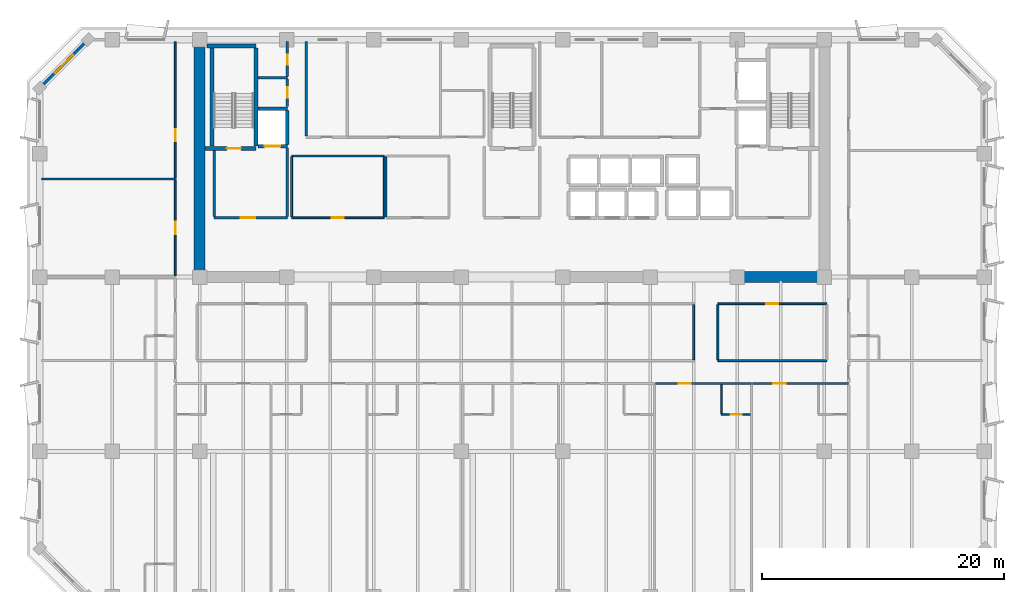
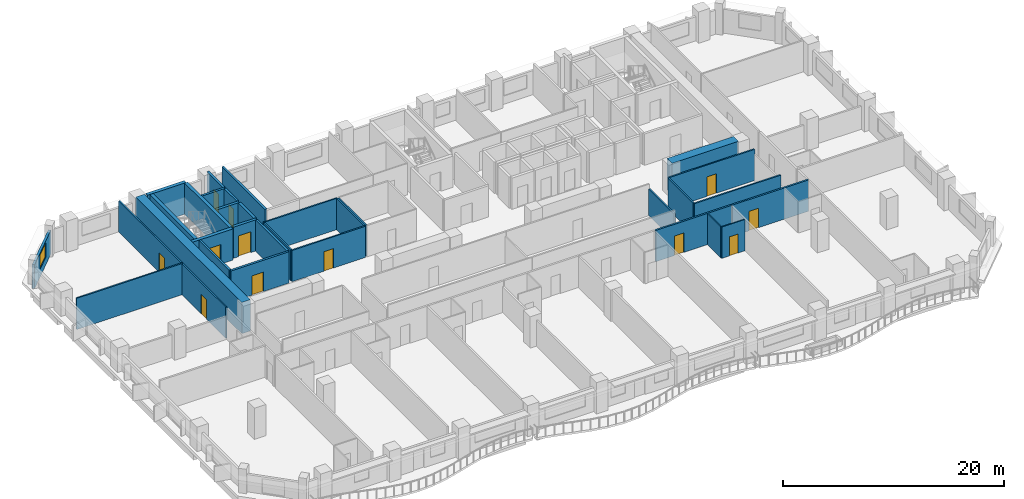
# One storey, part 6 of 15: 33 walls, 12 doors, 1 window, 13 openings.
"""IFC4 building model written with IfcOpenShell, lengths in metres."""

import ifcopenshell
import ifcopenshell.guid

model = None  # the IFC model being written
_history = None  # IfcOwnerHistory: only IFC2X3 demands one
_inside = {}  # id of a spatial element -> (the spatial element, [elements in it])
_under = {}  # id of a project, library or spatial element -> (it, [spatial elements below it])
_declared = {}  # id of a project -> (the project, [libraries it declares])
_typed = {}  # id of a type object -> (the type object, [elements of that type])
_made_of = {}  # id of a material, layer set ... -> (it, [elements and type objects made of it])


def new_model(schema):
    """Start an empty IFC model of exactly this schema.

    Asked for "IFC4X3", IfcOpenShell would pick the latest addendum, in which some entities
    have other attributes; the version numbers below select the first issue.
    IFC2X3 requires an IfcOwnerHistory on every rooted entity: one is made here for all.
    """
    global model, _history
    if schema == "IFC4X3":
        model = ifcopenshell.file(schema_version=(4, 3, 0, 0))
    else:
        model = ifcopenshell.file(schema=schema)
    _inside.clear()
    _under.clear()
    _declared.clear()
    _typed.clear()
    _made_of.clear()
    _history = None
    if model.schema == "IFC2X3":
        org = make("IfcOrganization", Name="unknown")
        user = make(
            "IfcPersonAndOrganization",
            ThePerson=make("IfcPerson", FamilyName="unknown"),
            TheOrganization=org,
        )
        app = make(
            "IfcApplication",
            ApplicationDeveloper=org,
            Version="unknown",
            ApplicationFullName="unknown",
            ApplicationIdentifier="unknown",
        )
        _history = make(
            "IfcOwnerHistory",
            OwningUser=user,
            OwningApplication=app,
            ChangeAction="ADDED",
            CreationDate=0,
        )
    return model


def make(cls, **values):
    """One entity of the class cls with the attributes given. An attribute that is None is left unset."""
    return model.create_entity(
        cls, **{name: value for name, value in values.items() if value is not None}
    )


def rooted(cls, **values):
    """An entity with a GlobalId (a new one), such as an element, a storey or a relation."""
    return make(cls, GlobalId=ifcopenshell.guid.new(), OwnerHistory=_history, **values)


def si_unit(unit_type, name, prefix=None):
    """IfcSIUnit, for example si_unit("LENGTHUNIT", "METRE", prefix="MILLI")."""
    return make("IfcSIUnit", UnitType=unit_type, Prefix=prefix, Name=name)


def assignment(units):
    """IfcUnitAssignment: the units of a project."""
    return None if units is None else make("IfcUnitAssignment", Units=units)


def point(xyz):
    """IfcCartesianPoint."""
    return None if xyz is None else make("IfcCartesianPoint", Coordinates=xyz)


def direction(xyz):
    """IfcDirection."""
    return None if xyz is None else make("IfcDirection", DirectionRatios=xyz)


def frame(location, z_axis=None, x_axis=None):
    """IfcAxis2Placement3D, a coordinate frame: its origin and axes. An axis left out is left unset."""
    return make(
        "IfcAxis2Placement3D",
        Location=point(location),
        Axis=direction(z_axis),
        RefDirection=direction(x_axis),
    )


def frame_2d(location, x_axis=None):
    """IfcAxis2Placement2D, a coordinate frame in the plane: its origin and x axis."""
    return make(
        "IfcAxis2Placement2D", Location=point(location), RefDirection=direction(x_axis)
    )


def origin():
    """The frame at (0, 0, 0) with its axes left unset."""
    return frame((0.0, 0.0, 0.0))


def place(relative_to, where):
    """IfcLocalPlacement: puts the frame where relative to a parent placement (None: the world)."""
    return make(
        "IfcLocalPlacement", PlacementRelTo=relative_to, RelativePlacement=where
    )


def context(
    kind, dimensions, precision=None, world=None, true_north=None, identifier=None
):
    """IfcGeometricRepresentationContext, for example the 3D "Model" context."""
    return make(
        "IfcGeometricRepresentationContext",
        ContextIdentifier=identifier,
        ContextType=kind,
        CoordinateSpaceDimension=dimensions,
        Precision=precision,
        WorldCoordinateSystem=world,
        TrueNorth=true_north,
    )


def subcontext(parent, identifier, kind, view, scale=None):
    """IfcGeometricRepresentationSubContext, for example "Body" below "Model"."""
    return make(
        "IfcGeometricRepresentationSubContext",
        ContextIdentifier=identifier,
        ContextType=kind,
        ParentContext=parent,
        TargetScale=scale,
        TargetView=view,
    )


def project(units=None, contexts=None):
    """IfcProject with its units and contexts."""
    return rooted(
        "IfcProject",
        Name="project",
        RepresentationContexts=contexts,
        UnitsInContext=assignment(units),
    )


def spatial(cls, under=None, at=None, **own):
    """A site, building, storey or space (cls), placed at a placement, below another one or the project."""
    s = rooted(cls, ObjectPlacement=at, **own)
    if under is not None:
        _under.setdefault(under.id(), (under, []))[1].append(s)
    return s


def profile(cls, at=None, kind="AREA", **sizes):
    """A parametric profile (cls). Its sizes go by their IFC names, for example OverallWidth=200.0."""
    return make(cls, ProfileType=kind, Position=at, **sizes)


def rectangle(**sizes):
    """IfcRectangleProfileDef."""
    return profile("IfcRectangleProfileDef", **sizes)


def extrude(swept, where, along, depth):
    """IfcExtrudedAreaSolid: the profile swept, set in the frame where, extruded along a direction by depth."""
    return make(
        "IfcExtrudedAreaSolid",
        SweptArea=swept,
        Position=where,
        ExtrudedDirection=direction(along),
        Depth=depth,
    )


def shape(context_of_items, identifier, shape_type, items):
    """IfcShapeRepresentation: the items that make up one representation, for example the "Body"."""
    return make(
        "IfcShapeRepresentation",
        ContextOfItems=context_of_items,
        RepresentationIdentifier=identifier,
        RepresentationType=shape_type,
        Items=items,
    )


def material(Name=None, Category=None):
    """IfcMaterial."""
    return make("IfcMaterial", Name=Name, Category=Category)


def layer(
    of_material, thickness, ventilated=None, Name=None, Category=None, Priority=None
):
    """IfcMaterialLayer: one layer of a wall or slab, of a material (None: an air gap)."""
    return make(
        "IfcMaterialLayer",
        Material=of_material,
        LayerThickness=thickness,
        IsVentilated=ventilated,
        Name=Name,
        Category=Category,
        Priority=Priority,
    )


def layer_set(layers, Name=None):
    """IfcMaterialLayerSet."""
    return make("IfcMaterialLayerSet", MaterialLayers=layers, LayerSetName=Name)


def made_of(thing, what):
    """Note that an element or type object is made of a material, layer set ...; save() writes the relation."""
    if what is not None:
        _made_of.setdefault(what.id(), (what, []))[1].append(thing)
    return thing


def type_object(cls, material=None, **own):
    """A type object (cls), such as IfcWallType, which elements share."""
    return made_of(rooted(cls, **own), material)


def element(
    cls,
    number,
    at=None,
    inside=None,
    cuts=None,
    type_object=None,
    material=None,
    context=None,
    identifier="Body",
    shape_type=None,
    held_by="IfcProductDefinitionShape",
    body=None,
    shapes=None,
    **own,
):
    """One element of the class cls, such as IfcWall. Its Tag is "e" and its number.

    at: its placement. inside: the storey or other place that contains it. cuts: it is an
    opening in that element (IfcRelVoidsElement). A single representation is given by context,
    identifier, shape_type and body (its items); several are given by shapes. held_by: the class
    of the entity that holds the representations. save() writes the other relations.
    """
    e = rooted(cls, Tag="e%d" % number, ObjectPlacement=at, **own)
    if body is not None:
        shapes = [shape(context, identifier, shape_type, body)]
    if shapes is not None:
        e.Representation = make(held_by, Representations=shapes)
    if inside is not None:
        _inside.setdefault(inside.id(), (inside, []))[1].append(e)
    if cuts is not None:
        rooted(
            "IfcRelVoidsElement", RelatingBuildingElement=cuts, RelatedOpeningElement=e
        )
    if type_object is not None:
        _typed.setdefault(type_object.id(), (type_object, []))[1].append(e)
    return made_of(e, material)


def fill(opening, filler):
    """IfcRelFillsElement: the door or window that sits in an opening."""
    return rooted(
        "IfcRelFillsElement",
        RelatingOpeningElement=opening,
        RelatedBuildingElement=filler,
    )


def aggregate(whole, parts):
    """IfcRelAggregates: a whole, such as a stair, and the parts it consists of."""
    return rooted("IfcRelAggregates", RelatingObject=whole, RelatedObjects=parts)


def save(model, path):
    """Write the relations noted so far, then the file.

    IfcRelAggregates (storeys below a building ...), IfcRelContainedInSpatialStructure (elements
    in a storey), IfcRelDefinesByType, IfcRelAssociatesMaterial and IfcRelDeclares: one each for
    every whole, place, type object, material and project.
    """
    for whole, parts in _under.values():
        aggregate(whole, parts)
    for where, things in _inside.values():
        rooted(
            "IfcRelContainedInSpatialStructure",
            RelatedElements=things,
            RelatingStructure=where,
        )
    for kind, things in _typed.values():
        rooted("IfcRelDefinesByType", RelatedObjects=things, RelatingType=kind)
    for what, things in _made_of.values():
        rooted("IfcRelAssociatesMaterial", RelatedObjects=things, RelatingMaterial=what)
    for by, libraries in _declared.values():
        rooted("IfcRelDeclares", RelatingContext=by, RelatedDefinitions=libraries)
    model.write(path)


model = new_model("IFC4")

# Units and contexts
model_context = context("Model", 3, precision=1e-05, world=origin(), true_north=direction((0.0, 1.0)))
body_context = subcontext(model_context, "Body", "Model", "MODEL_VIEW")
ifc_project = project(units=[si_unit("LENGTHUNIT", "METRE"), si_unit("AREAUNIT", "SQUARE_METRE"), si_unit("VOLUMEUNIT", "CUBIC_METRE"), si_unit("PLANEANGLEUNIT", "RADIAN"), si_unit("MASSUNIT", "GRAM", prefix="KILO")], contexts=[model_context])

# Site, building, storey
site_placement = place(None, origin())
site = spatial("IfcSite", under=ifc_project, at=site_placement, CompositionType="ELEMENT")
building_placement = place(site_placement, origin())
building = spatial("IfcBuilding", under=site, at=building_placement, Name="Kaelvorn Grand Hotel", CompositionType="ELEMENT")
storey_placement = place(building_placement, frame((0.0, 0.0, 180.949951171875)))
storey = spatial("IfcBuildingStorey", under=building, at=storey_placement, Name="L44", CompositionType="ELEMENT", Elevation=180.949951171875)

# Walls
ifc_material_1 = material(Name="Concrete C60/75", Category="concrete")
ifc_layer_1 = layer(ifc_material_1, 0.89990234375)
ifc_layer_set_1 = layer_set([ifc_layer_1], Name="Concrete C60/75")
wall_type_1 = type_object("IfcWallType", Name="WL-CORE-900-C60", PredefinedType="SHEAR", material=ifc_layer_set_1)
wall_1_placement = place(storey_placement, frame((16.199951171875, 29.39990234375, 0.0), z_axis=(0.0, 0.0, 1.0), x_axis=(0.0, 1.0, 0.0)))
element("IfcWall", 1, at=wall_1_placement, inside=storey, type_object=wall_type_1, Name="L44 Rear-Core West Shear Wall", PredefinedType="SHEAR", context=body_context, shape_type="SweptSolid", body=[
    extrude(rectangle(XDim=19.2001953125, YDim=0.89990234375, at=frame_2d((9.60009765625, 0.0))), origin(), (0.0, 0.0, 1.0), 3.449951171875),
])
wall_2_placement = place(storey_placement, frame((60.39990234375, 29.39990234375, 0.0), z_axis=(0.0, 0.0, 1.0), x_axis=(1.0, 0.0, 0.0)))
element("IfcWall", 2, at=wall_2_placement, inside=storey, type_object=wall_type_1, Name="L44 Rear-Core Coupled Shear Pier S4", PredefinedType="SHEAR", context=body_context, shape_type="SweptSolid", body=[
    extrude(rectangle(XDim=6.945068359375, YDim=0.89990234375, at=frame_2d((3.47265625, 0.0))), origin(), (0.0, 0.0, 1.0), 3.449951171875),
])

# Wall, opening, window
ifc_material_2 = material(Name="Concrete C40/50", Category="concrete")
ifc_layer_2 = layer(ifc_material_2, 0.239990234375)
ifc_layer_set_2 = layer_set([ifc_layer_2], Name="Concrete C40/50")
wall_type_2 = type_object("IfcWallType", Name="WL-EXT-240-C40", PredefinedType="SOLIDWALL", material=ifc_layer_set_2)
wall_3_placement = place(storey_placement, frame((7.0, 49.0, 0.0), z_axis=(0.0, 0.0, 1.0), x_axis=(-0.707106781187, -0.707106781187, 0.0)))
wall_3 = element("IfcWall", 3, at=wall_3_placement, inside=storey, type_object=wall_type_2, Name="L44 Exterior Architectural Concrete Wall 06", PredefinedType="SOLIDWALL", context=body_context, shape_type="SweptSolid", body=[
    extrude(rectangle(XDim=5.65673828125, YDim=0.239990234375, at=frame_2d((2.828369140625, 0.0))), origin(), (0.0, 0.0, 1.0), 2.650146484375),
])
opening_1_placement = place(wall_3_placement, frame((1.7783203125, 0.0, 0.85009765625)))
opening_1 = element("IfcOpeningElement", 4, at=opening_1_placement, cuts=wall_3, Name="Opening W7", PredefinedType="OPENING", context=body_context, shape_type="SweptSolid", body=[
    extrude(rectangle(XDim=2.10009765625, YDim=1.60009765625, at=frame_2d((1.050048828125, 0.800048828125))), frame((0.0, 0.1298828125, 0.0), z_axis=(0.0, -1.0, 0.0), x_axis=(1.0, 0.0, 0.0)), (0.0, 0.0, 1.0), 0.260009765625),
])
ifc_material_3 = material(Name="Laminated Low-E Glass", Category="glass")
window_type = type_object("IfcWindowType", Name="WIN-CHM-2100x1600", PartitioningType="SINGLE_PANEL", PredefinedType="WINDOW", material=ifc_material_3)
window_placement = place(opening_1_placement, origin())
window = element("IfcWindow", 5, at=window_placement, inside=storey, type_object=window_type, Name="L44 Chamfered 45-Degree Corner Window NW", OverallHeight=1.60009765625, OverallWidth=2.10009765625, PartitioningType="SINGLE_PANEL", PredefinedType="WINDOW", context=body_context, shape_type="SweptSolid", body=[
    extrude(rectangle(XDim=2.10009765625, YDim=1.60009765625, at=frame_2d((1.050048828125, 0.800048828125))), frame((0.0, 0.030029296875, 0.0), z_axis=(0.0, -1.0, 0.0), x_axis=(1.0, 0.0, 0.0)), (0.0, 0.0, 1.0), 0.06005859375),
])
fill(opening_1, window)

# Wall, opening, door
ifc_material_4 = material(Name="Moisture-Resistant Tile & Stud Board")
ifc_layer_3 = layer(ifc_material_4, 0.125)
ifc_layer_set_3 = layer_set([ifc_layer_3], Name="Moisture-Resistant Tile & Stud Board")
wall_type_3 = type_object("IfcWallType", Name="WL-PART-125-WET", PredefinedType="PARTITIONING", material=ifc_layer_set_3)
wall_4_placement = place(storey_placement, frame((59.28076171875, 18.050048828125, 0.0), z_axis=(0.0, 0.0, 1.0), x_axis=(1.0, 0.0, 0.0)))
wall_4 = element("IfcWall", 6, at=wall_4_placement, inside=storey, type_object=wall_type_3, Name="L44 En-suite Bathroom L44-06 S Partition", PredefinedType="PARTITIONING", context=body_context, shape_type="SweptSolid", body=[
    extrude(rectangle(XDim=2.405029296875, YDim=0.125, at=frame_2d((1.20263671875, 0.0))), origin(), (0.0, 0.0, 1.0), 3.449951171875),
])
opening_2_placement = place(wall_4_placement, frame((0.800048828125, 0.0, 0.0)))
opening_2 = element("IfcOpeningElement", 7, at=opening_2_placement, cuts=wall_4, Name="Opening DI4", PredefinedType="OPENING", context=body_context, shape_type="SweptSolid", body=[
    extrude(rectangle(XDim=0.89990234375, YDim=2.10009765625, at=frame_2d((0.449951171875, 1.050048828125))), frame((0.0, 0.072509765625, 0.0), z_axis=(0.0, -1.0, 0.0), x_axis=(1.0, 0.0, 0.0)), (0.0, 0.0, 1.0), 0.14501953125),
])
ifc_material_5 = material(Name="Timber Veneer Leaf", Category="wood")
door_type_1 = type_object("IfcDoorType", Name="DR-INT-BATH-900x2100", OperationType="NOTDEFINED", PredefinedType="DOOR", material=ifc_material_5)
door_1_placement = place(opening_2_placement, origin())
door_1 = element("IfcDoor", 8, at=door_1_placement, inside=storey, type_object=door_type_1, Name="L44 En-suite Bathroom L44-06 Door", OperationType="SINGLE_SWING_RIGHT", OverallHeight=2.10009765625, OverallWidth=0.89990234375, PredefinedType="DOOR", context=body_context, shape_type="SweptSolid", body=[
    extrude(rectangle(XDim=0.89990234375, YDim=2.10009765625, at=frame_2d((0.449951171875, 1.050048828125))), frame((0.0, 0.02490234375, 0.0), z_axis=(0.0, -1.0, 0.0), x_axis=(1.0, 0.0, 0.0)), (0.0, 0.0, 1.0), 0.050048828125),
])
fill(opening_2, door_1)

# Walls
wall_5_placement = place(storey_placement, frame((59.28076171875, 18.117431640625, 0.0), z_axis=(0.0, 0.0, 1.0), x_axis=(0.0, 1.0, 0.0)))
element("IfcWall", 9, at=wall_5_placement, inside=storey, type_object=wall_type_3, Name="L44 En-suite Bathroom L44-06 W Partition", PredefinedType="PARTITIONING", context=body_context, shape_type="SweptSolid", body=[
    extrude(rectangle(XDim=2.387451171875, YDim=0.125, at=frame_2d((1.19384765625, 0.0))), origin(), (0.0, 0.0, 1.0), 3.449951171875),
])
ifc_material_6 = material(Name="Acoustic Gypsum & Stud Partition")
ifc_layer_4 = layer(ifc_material_6, 0.14990234375)
ifc_layer_set_4 = layer_set([ifc_layer_4], Name="Acoustic Gypsum & Stud Partition")
wall_type_4 = type_object("IfcWallType", Name="WL-PART-150-EI60", PredefinedType="PARTITIONING", material=ifc_layer_set_4)
wall_6_placement = place(storey_placement, frame((31.60009765625, 34.3798828125, 0.0), z_axis=(0.0, 0.0, 1.0), x_axis=(0.0, 1.0, 0.0)))
element("IfcWall", 10, at=wall_6_placement, inside=storey, type_object=wall_type_4, Name="L44 Core Telecoms & BMS Server Room W Partition", PredefinedType="PARTITIONING", context=body_context, shape_type="SweptSolid", body=[
    extrude(rectangle(XDim=4.940185546875, YDim=0.14990234375, at=frame_2d((2.47021484375, 0.0))), origin(), (0.0, 0.0, 1.0), 3.449951171875),
])

# Wall, opening, door
wall_7_placement = place(storey_placement, frame((23.800048828125, 34.300048828125, 0.0), z_axis=(0.0, 0.0, 1.0), x_axis=(1.0, 0.0, 0.0)))
wall_7 = element("IfcWall", 11, at=wall_7_placement, inside=storey, type_object=wall_type_4, Name="L44 Executive Club Sitting Lounge S Partition", PredefinedType="PARTITIONING", context=body_context, shape_type="SweptSolid", body=[
    extrude(rectangle(XDim=7.64990234375, YDim=0.14990234375, at=frame_2d((3.824951171875, 0.0))), origin(), (0.0, 0.0, 1.0), 3.449951171875),
])
opening_3_placement = place(wall_7_placement, frame((3.300048828125, 0.0, 0.0)))
opening_3 = element("IfcOpeningElement", 12, at=opening_3_placement, cuts=wall_7, Name="Opening DI3", PredefinedType="OPENING", context=body_context, shape_type="SweptSolid", body=[
    extrude(rectangle(XDim=1.0, YDim=2.14990234375, at=frame_2d((0.5, 1.074951171875))), frame((0.0, 0.0849609375, 0.0), z_axis=(0.0, -1.0, 0.0), x_axis=(1.0, 0.0, 0.0)), (0.0, 0.0, 1.0), 0.169921875),
])
ifc_material_7 = material(Name="Timber Veneer Fire Leaf", Category="wood")
door_type_2 = type_object("IfcDoorType", Name="DR-INT-GUEST-1000x2150", OperationType="NOTDEFINED", PredefinedType="DOOR", material=ifc_material_7)
door_2_placement = place(opening_3_placement, origin())
door_2 = element("IfcDoor", 13, at=door_2_placement, inside=storey, type_object=door_type_2, Name="L44 Executive Club Sitting Lounge Door", OperationType="SINGLE_SWING_LEFT", OverallHeight=2.14990234375, OverallWidth=1.0, PredefinedType="DOOR", context=body_context, shape_type="SweptSolid", body=[
    extrude(rectangle(XDim=1.0, YDim=2.14990234375, at=frame_2d((0.5, 1.074951171875))), frame((0.0, 0.02490234375, 0.0), z_axis=(0.0, -1.0, 0.0), x_axis=(1.0, 0.0, 0.0)), (0.0, 0.0, 1.0), 0.050048828125),
])
fill(opening_3, door_2)

# Walls
wall_8_placement = place(storey_placement, frame((23.800048828125, 39.39990234375, 0.0), z_axis=(0.0, 0.0, 1.0), x_axis=(1.0, 0.0, 0.0)))
element("IfcWall", 14, at=wall_8_placement, inside=storey, type_object=wall_type_4, Name="L44 Executive Club Sitting Lounge N Partition", PredefinedType="PARTITIONING", context=body_context, shape_type="SweptSolid", body=[
    extrude(rectangle(XDim=7.64990234375, YDim=0.14990234375, at=frame_2d((3.824951171875, 0.0))), origin(), (0.0, 0.0, 1.0), 3.449951171875),
])
for number, where, z_axis, x_axis, name in (
    (15, (23.800048828125, 34.3798828125, 0.0), (0.0, 0.0, 1.0), (0.0, 1.0, 0.0), "L44 Executive Club Sitting Lounge W Partition"),
    (16, (31.449951171875, 34.3798828125, 0.0), (0.0, 0.0, 1.0), (0.0, 1.0, 0.0), "L44 Executive Club Sitting Lounge E Partition"),
):
    element("IfcWall", number, at=place(storey_placement, frame(where, z_axis=z_axis, x_axis=x_axis)), inside=storey, type_object=wall_type_4, Name=name, PredefinedType="PARTITIONING", context=body_context, shape_type="SweptSolid", body=[
        extrude(rectangle(XDim=4.940185546875, YDim=0.14990234375, at=frame_2d((2.47021484375, 0.0))), origin(), (0.0, 0.0, 1.0), 3.449951171875),
    ])
wall_9_placement = place(storey_placement, frame((57.0, 22.580078125, 0.0), z_axis=(0.0, 0.0, 1.0), x_axis=(0.0, 1.0, 0.0)))
element("IfcWall", 17, at=wall_9_placement, inside=storey, type_object=wall_type_4, Name="L44 Business Meeting Room E Partition", PredefinedType="PARTITIONING", context=body_context, shape_type="SweptSolid", body=[
    extrude(rectangle(XDim=4.5400390625, YDim=0.14990234375, at=frame_2d((2.27001953125, 0.0))), origin(), (0.0, 0.0, 1.0), 2.949951171875),
])
wall_10_placement = place(storey_placement, frame((59.0, 22.5, 0.0), z_axis=(0.0, 0.0, 1.0), x_axis=(1.0, 0.0, 0.0)))
element("IfcWall", 18, at=wall_10_placement, inside=storey, type_object=wall_type_4, Name="L44 Press Briefing Office S Partition", PredefinedType="PARTITIONING", context=body_context, shape_type="SweptSolid", body=[
    extrude(rectangle(XDim=9.0, YDim=0.14990234375, at=frame_2d((4.5, 0.0))), origin(), (0.0, 0.0, 1.0), 3.449951171875),
])

# Wall, opening, door
wall_11_placement = place(storey_placement, frame((59.0, 27.199951171875, 0.0), z_axis=(0.0, 0.0, 1.0), x_axis=(1.0, 0.0, 0.0)))
wall_11 = element("IfcWall", 19, at=wall_11_placement, inside=storey, type_object=wall_type_4, Name="L44 Press Briefing Office N Partition", PredefinedType="PARTITIONING", context=body_context, shape_type="SweptSolid", body=[
    extrude(rectangle(XDim=9.0, YDim=0.14990234375, at=frame_2d((4.5, 0.0))), origin(), (0.0, 0.0, 1.0), 3.449951171875),
])
opening_4_placement = place(wall_11_placement, frame((4.0, 0.0, 0.0)))
opening_4 = element("IfcOpeningElement", 20, at=opening_4_placement, cuts=wall_11, Name="Opening DI3", PredefinedType="OPENING", context=body_context, shape_type="SweptSolid", body=[
    extrude(rectangle(XDim=1.0, YDim=2.14990234375, at=frame_2d((0.5, 1.074951171875))), frame((0.0, 0.0849609375, 0.0), z_axis=(0.0, -1.0, 0.0), x_axis=(1.0, 0.0, 0.0)), (0.0, 0.0, 1.0), 0.169921875),
])
door_3_placement = place(opening_4_placement, origin())
door_3 = element("IfcDoor", 21, at=door_3_placement, inside=storey, type_object=door_type_2, Name="L44 Press Briefing Office Door", OperationType="SINGLE_SWING_RIGHT", OverallHeight=2.14990234375, OverallWidth=1.0, PredefinedType="DOOR", context=body_context, shape_type="SweptSolid", body=[
    extrude(rectangle(XDim=1.0, YDim=2.14990234375, at=frame_2d((0.5, 1.074951171875))), frame((0.0, 0.02490234375, 0.0), z_axis=(0.0, -1.0, 0.0), x_axis=(1.0, 0.0, 0.0)), (0.0, 0.0, 1.0), 0.050048828125),
])
fill(opening_4, door_3)

# Walls
wall_12_placement = place(storey_placement, frame((59.0, 22.580078125, 0.0), z_axis=(0.0, 0.0, 1.0), x_axis=(0.0, 1.0, 0.0)))
element("IfcWall", 22, at=wall_12_placement, inside=storey, type_object=wall_type_4, Name="L44 Press Briefing Office W Partition", PredefinedType="PARTITIONING", context=body_context, shape_type="SweptSolid", body=[
    extrude(rectangle(XDim=4.5400390625, YDim=0.14990234375, at=frame_2d((2.27001953125, 0.0))), origin(), (0.0, 0.0, 1.0), 3.449951171875),
])
wall_13_placement = place(storey_placement, frame((3.14990234375, 37.5, 0.0), z_axis=(0.0, 0.0, 1.0), x_axis=(1.0, 0.0, 0.0)))
element("IfcWall", 23, at=wall_13_placement, inside=storey, type_object=wall_type_4, Name="L44 North-West Private Cinema Lounge N Partition", PredefinedType="PARTITIONING", context=body_context, shape_type="SweptSolid", body=[
    extrude(rectangle(XDim=11.050048828125, YDim=0.14990234375, at=frame_2d((5.52490234375, 0.0))), origin(), (0.0, 0.0, 1.0), 3.449951171875),
])

# Wall, opening, door
wall_14_placement = place(storey_placement, frame((14.199951171875, 29.4951171875, 0.0), z_axis=(0.0, 0.0, 1.0), x_axis=(0.0, 1.0, 0.0)))
wall_14 = element("IfcWall", 24, at=wall_14_placement, inside=storey, type_object=wall_type_4, Name="L44 North-West Private Cinema Lounge E Partition", PredefinedType="PARTITIONING", context=body_context, shape_type="SweptSolid", body=[
    extrude(rectangle(XDim=7.9248046875, YDim=0.14990234375, at=frame_2d((3.96240234375, 0.0))), origin(), (0.0, 0.0, 1.0), 3.449951171875),
])
opening_5_placement = place(wall_14_placement, frame((3.455078125, 0.0, 0.0)))
opening_5 = element("IfcOpeningElement", 25, at=opening_5_placement, cuts=wall_14, Name="Opening DI3", PredefinedType="OPENING", context=body_context, shape_type="SweptSolid", body=[
    extrude(rectangle(XDim=1.0, YDim=2.14990234375, at=frame_2d((0.5, 1.074951171875))), frame((0.0, 0.0849609375, 0.0), z_axis=(0.0, -1.0, 0.0), x_axis=(1.0, 0.0, 0.0)), (0.0, 0.0, 1.0), 0.169921875),
])
door_4_placement = place(opening_5_placement, origin())
door_4 = element("IfcDoor", 26, at=door_4_placement, inside=storey, type_object=door_type_2, Name="L44 North-West Private Cinema Lounge Door", OperationType="SINGLE_SWING_LEFT", OverallHeight=2.14990234375, OverallWidth=1.0, PredefinedType="DOOR", context=body_context, shape_type="SweptSolid", body=[
    extrude(rectangle(XDim=1.0, YDim=2.14990234375, at=frame_2d((0.5, 1.074951171875))), frame((0.0, 0.02490234375, 0.0), z_axis=(0.0, -1.0, 0.0), x_axis=(1.0, 0.0, 0.0)), (0.0, 0.0, 1.0), 0.050048828125),
])
fill(opening_5, door_4)

wall_15_placement = place(storey_placement, frame((14.199951171875, 37.580078125, 0.0), z_axis=(0.0, 0.0, 1.0), x_axis=(0.0, 1.0, 0.0)))
wall_15 = element("IfcWall", 27, at=wall_15_placement, inside=storey, type_object=wall_type_4, Name="L44 North-West Sommelier Wine Bar E Partition", PredefinedType="PARTITIONING", context=body_context, shape_type="SweptSolid", body=[
    extrude(rectangle(XDim=11.27001953125, YDim=0.14990234375, at=frame_2d((5.635009765625, 0.0))), origin(), (0.0, 0.0, 1.0), 3.449951171875),
])
opening_6_placement = place(wall_15_placement, frame((3.02001953125, 0.0, 0.0)))
opening_6 = element("IfcOpeningElement", 28, at=opening_6_placement, cuts=wall_15, Name="Opening DI3", PredefinedType="OPENING", context=body_context, shape_type="SweptSolid", body=[
    extrude(rectangle(XDim=1.0, YDim=2.14990234375, at=frame_2d((0.5, 1.074951171875))), frame((0.0, 0.0849609375, 0.0), z_axis=(0.0, -1.0, 0.0), x_axis=(1.0, 0.0, 0.0)), (0.0, 0.0, 1.0), 0.169921875),
])
door_5_placement = place(opening_6_placement, origin())
door_5 = element("IfcDoor", 29, at=door_5_placement, inside=storey, type_object=door_type_2, Name="L44 North-West Sommelier Wine Bar Door", OperationType="SINGLE_SWING_RIGHT", OverallHeight=2.14990234375, OverallWidth=1.0, PredefinedType="DOOR", context=body_context, shape_type="SweptSolid", body=[
    extrude(rectangle(XDim=1.0, YDim=2.14990234375, at=frame_2d((0.5, 1.074951171875))), frame((0.0, 0.02490234375, 0.0), z_axis=(0.0, -1.0, 0.0), x_axis=(1.0, 0.0, 0.0)), (0.0, 0.0, 1.0), 0.050048828125),
])
fill(opening_6, door_5)

ifc_layer_5 = layer(ifc_material_6, 0.179931640625)
ifc_layer_set_5 = layer_set([ifc_layer_5], Name="Acoustic Gypsum & Stud Partition")
wall_type_5 = type_object("IfcWallType", Name="WL-PART-180-EI60", PredefinedType="PARTITIONING", material=ifc_layer_set_5)
wall_16_placement = place(storey_placement, frame((53.8564453125, 20.60009765625, 0.0), z_axis=(0.0, 0.0, 1.0), x_axis=(1.0, 0.0, 0.0)))
wall_16 = element("IfcWall", 30, at=wall_16_placement, inside=storey, type_object=wall_type_5, Name="L44 Mid-Rise Signature Suite L44-06 N Partition", PredefinedType="PARTITIONING", context=body_context, shape_type="SweptSolid", body=[
    extrude(rectangle(XDim=7.92431640625, YDim=0.179931640625, at=frame_2d((3.962158203125, 0.0))), origin(), (0.0, 0.0, 1.0), 3.449951171875),
])
opening_7_placement = place(wall_16_placement, frame((1.923828125, 0.0, 0.0)))
opening_7 = element("IfcOpeningElement", 31, at=opening_7_placement, cuts=wall_16, Name="Opening DI3", PredefinedType="OPENING", context=body_context, shape_type="SweptSolid", body=[
    extrude(rectangle(XDim=1.0, YDim=2.14990234375, at=frame_2d((0.5, 1.074951171875))), frame((0.0, 0.10009765625, 0.0), z_axis=(0.0, -1.0, 0.0), x_axis=(1.0, 0.0, 0.0)), (0.0, 0.0, 1.0), 0.199951171875),
])
door_6_placement = place(opening_7_placement, origin())
door_6 = element("IfcDoor", 32, at=door_6_placement, inside=storey, type_object=door_type_2, Name="L44 Mid-Rise Signature Suite L44-06 Door", OperationType="SINGLE_SWING_LEFT", OverallHeight=2.14990234375, OverallWidth=1.0, PredefinedType="DOOR", context=body_context, shape_type="SweptSolid", body=[
    extrude(rectangle(XDim=1.0, YDim=2.14990234375, at=frame_2d((0.5, 1.074951171875))), frame((0.0, 0.02490234375, 0.0), z_axis=(0.0, -1.0, 0.0), x_axis=(1.0, 0.0, 0.0)), (0.0, 0.0, 1.0), 0.050048828125),
])
fill(opening_7, door_6)

wall_17_placement = place(storey_placement, frame((61.875732421875, 20.60009765625, 0.0), z_axis=(0.0, 0.0, 1.0), x_axis=(1.0, 0.0, 0.0)))
wall_17 = element("IfcWall", 33, at=wall_17_placement, inside=storey, type_object=wall_type_5, Name="L44 Mid-Rise Signature Suite L44-07 N Partition", PredefinedType="PARTITIONING", context=body_context, shape_type="SweptSolid", body=[
    extrude(rectangle(XDim=7.92431640625, YDim=0.179931640625, at=frame_2d((3.962158203125, 0.0))), origin(), (0.0, 0.0, 1.0), 3.449951171875),
])
opening_8_placement = place(wall_17_placement, frame((1.714599609375, 0.0, 0.0)))
opening_8 = element("IfcOpeningElement", 34, at=opening_8_placement, cuts=wall_17, Name="Opening DI3", PredefinedType="OPENING", context=body_context, shape_type="SweptSolid", body=[
    extrude(rectangle(XDim=1.0, YDim=2.14990234375, at=frame_2d((0.5, 1.074951171875))), frame((0.0, 0.10009765625, 0.0), z_axis=(0.0, -1.0, 0.0), x_axis=(1.0, 0.0, 0.0)), (0.0, 0.0, 1.0), 0.199951171875),
])
door_7_placement = place(opening_8_placement, origin())
door_7 = element("IfcDoor", 35, at=door_7_placement, inside=storey, type_object=door_type_2, Name="L44 Mid-Rise Signature Suite L44-07 Door", OperationType="SINGLE_SWING_LEFT", OverallHeight=2.14990234375, OverallWidth=1.0, PredefinedType="DOOR", context=body_context, shape_type="SweptSolid", body=[
    extrude(rectangle(XDim=1.0, YDim=2.14990234375, at=frame_2d((0.5, 1.074951171875))), frame((0.0, 0.02490234375, 0.0), z_axis=(0.0, -1.0, 0.0), x_axis=(1.0, 0.0, 0.0)), (0.0, 0.0, 1.0), 0.050048828125),
])
fill(opening_8, door_7)

ifc_layer_6 = layer(ifc_material_2, 0.219970703125)
ifc_layer_set_6 = layer_set([ifc_layer_6], Name="Concrete C40/50")
wall_type_6 = type_object("IfcWallType", Name="WL-PART-220-EI120", PredefinedType="PARTITIONING", material=ifc_layer_set_6)
wall_18_placement = place(storey_placement, frame((17.39990234375, 34.300048828125, 0.0), z_axis=(0.0, 0.0, 1.0), x_axis=(1.0, 0.0, 0.0)))
wall_18 = element("IfcWall", 36, at=wall_18_placement, inside=storey, type_object=wall_type_6, Name="L44 Firefighting Lift Lobby 1 S Partition", PredefinedType="PARTITIONING", context=body_context, shape_type="SweptSolid", body=[
    extrude(rectangle(XDim=6.050048828125, YDim=0.219970703125, at=frame_2d((3.02490234375, 0.0))), origin(), (0.0, 0.0, 1.0), 3.449951171875),
])
opening_9_placement = place(wall_18_placement, frame((2.199951171875, 0.0, 0.0)))
opening_9 = element("IfcOpeningElement", 37, at=opening_9_placement, cuts=wall_18, Name="Opening DI2", PredefinedType="OPENING", context=body_context, shape_type="SweptSolid", body=[
    extrude(rectangle(XDim=1.199951171875, YDim=2.14990234375, at=frame_2d((0.60009765625, 1.074951171875))), frame((0.0, 0.1201171875, 0.0), z_axis=(0.0, -1.0, 0.0), x_axis=(1.0, 0.0, 0.0)), (0.0, 0.0, 1.0), 0.239990234375),
])
door_type_3 = type_object("IfcDoorType", Name="DR-INT-FFLOB-1200x2150", OperationType="NOTDEFINED", PredefinedType="DOOR", material=ifc_material_7)
door_8_placement = place(opening_9_placement, origin())
door_8 = element("IfcDoor", 38, at=door_8_placement, inside=storey, type_object=door_type_3, Name="L44 Firefighting Lift Lobby 1 Door", OperationType="SINGLE_SWING_RIGHT", OverallHeight=2.14990234375, OverallWidth=1.199951171875, PredefinedType="DOOR", context=body_context, shape_type="SweptSolid", body=[
    extrude(rectangle(XDim=1.199951171875, YDim=2.14990234375, at=frame_2d((0.60009765625, 1.074951171875))), frame((0.0, 0.02490234375, 0.0), z_axis=(0.0, -1.0, 0.0), x_axis=(1.0, 0.0, 0.0)), (0.0, 0.0, 1.0), 0.050048828125),
])
fill(opening_9, door_8)

# Walls
wall_19_placement = place(storey_placement, frame((17.39990234375, 34.4150390625, 0.0), z_axis=(0.0, 0.0, 1.0), x_axis=(0.0, 1.0, 0.0)))
element("IfcWall", 39, at=wall_19_placement, inside=storey, type_object=wall_type_6, Name="L44 Firefighting Lift Lobby 1 W Partition", PredefinedType="PARTITIONING", context=body_context, shape_type="SweptSolid", body=[
    extrude(rectangle(XDim=5.429931640625, YDim=0.219970703125, at=frame_2d((2.71484375, 0.0))), origin(), (0.0, 0.0, 1.0), 3.449951171875),
])
wall_20_placement = place(storey_placement, frame((23.449951171875, 34.4150390625, 0.0), z_axis=(0.0, 0.0, 1.0), x_axis=(0.0, 1.0, 0.0)))
element("IfcWall", 40, at=wall_20_placement, inside=storey, type_object=wall_type_6, Name="L44 Firefighting Lift Lobby 1 E Partition", PredefinedType="PARTITIONING", context=body_context, shape_type="SweptSolid", body=[
    extrude(rectangle(XDim=5.639892578125, YDim=0.219970703125, at=frame_2d((2.81982421875, 0.0))), origin(), (0.0, 0.0, 1.0), 3.449951171875),
])
wall_21_placement = place(storey_placement, frame((21.034912109375, 45.85009765625, 0.0), z_axis=(0.0, 0.0, 1.0), x_axis=(1.0, 0.0, 0.0)))
element("IfcWall", 41, at=wall_21_placement, inside=storey, type_object=wall_type_6, Name="L44 Wet Fire & Plumbing Riser Shaft N Partition", PredefinedType="PARTITIONING", context=body_context, shape_type="SweptSolid", body=[
    extrude(rectangle(XDim=2.4150390625, YDim=0.219970703125, at=frame_2d((1.20751953125, 0.0))), origin(), (0.0, 0.0, 1.0), 3.449951171875),
])

# Wall, opening, door
wall_22_placement = place(storey_placement, frame((23.449951171875, 43.5, 0.0), z_axis=(0.0, 0.0, 1.0), x_axis=(0.0, 1.0, 0.0)))
wall_22 = element("IfcWall", 42, at=wall_22_placement, inside=storey, type_object=wall_type_6, Name="L44 Wet Fire & Plumbing Riser Shaft E Partition", PredefinedType="PARTITIONING", context=body_context, shape_type="SweptSolid", body=[
    extrude(rectangle(XDim=2.235107421875, YDim=0.219970703125, at=frame_2d((1.11767578125, 0.0))), origin(), (0.0, 0.0, 1.0), 3.449951171875),
])
opening_10_placement = place(wall_22_placement, frame((0.72509765625, 0.0, 0.0)))
opening_10 = element("IfcOpeningElement", 43, at=opening_10_placement, cuts=wall_22, Name="Opening DI7", PredefinedType="OPENING", context=body_context, shape_type="SweptSolid", body=[
    extrude(rectangle(XDim=0.85009765625, YDim=2.10009765625, at=frame_2d((0.425048828125, 1.050048828125))), frame((0.0, 0.1201171875, 0.0), z_axis=(0.0, -1.0, 0.0), x_axis=(1.0, 0.0, 0.0)), (0.0, 0.0, 1.0), 0.239990234375),
])
ifc_material_8 = material(Name="Powder-Coated Steel Leaf", Category="steel")
door_type_4 = type_object("IfcDoorType", Name="DR-INT-RISER-850x2100", OperationType="NOTDEFINED", PredefinedType="DOOR", material=ifc_material_8)
door_9_placement = place(opening_10_placement, origin())
door_9 = element("IfcDoor", 44, at=door_9_placement, inside=storey, type_object=door_type_4, Name="L44 Wet Fire & Plumbing Riser Shaft Door", OperationType="SINGLE_SWING_RIGHT", OverallHeight=2.10009765625, OverallWidth=0.85009765625, PredefinedType="DOOR", context=body_context, shape_type="SweptSolid", body=[
    extrude(rectangle(XDim=0.85009765625, YDim=2.10009765625, at=frame_2d((0.425048828125, 1.050048828125))), frame((0.0, 0.02490234375, 0.0), z_axis=(0.0, -1.0, 0.0), x_axis=(1.0, 0.0, 0.0)), (0.0, 0.0, 1.0), 0.050048828125),
])
fill(opening_10, door_9)

wall_23_placement = place(storey_placement, frame((23.449951171875, 45.965087890625, 0.0), z_axis=(0.0, 0.0, 1.0), x_axis=(0.0, 1.0, 0.0)))
wall_23 = element("IfcWall", 45, at=wall_23_placement, inside=storey, type_object=wall_type_6, Name="L44 HV Electrical & Smoke Riser E Partition", PredefinedType="PARTITIONING", context=body_context, shape_type="SweptSolid", body=[
    extrude(rectangle(XDim=2.885009765625, YDim=0.219970703125, at=frame_2d((1.4423828125, 0.0))), origin(), (0.0, 0.0, 1.0), 3.449951171875),
])
opening_11_placement = place(wall_23_placement, frame((0.9599609375, 0.0, 0.0)))
opening_11 = element("IfcOpeningElement", 46, at=opening_11_placement, cuts=wall_23, Name="Opening DI7", PredefinedType="OPENING", context=body_context, shape_type="SweptSolid", body=[
    extrude(rectangle(XDim=0.85009765625, YDim=2.10009765625, at=frame_2d((0.425048828125, 1.050048828125))), frame((0.0, 0.1201171875, 0.0), z_axis=(0.0, -1.0, 0.0), x_axis=(1.0, 0.0, 0.0)), (0.0, 0.0, 1.0), 0.239990234375),
])
door_10_placement = place(opening_11_placement, origin())
door_10 = element("IfcDoor", 47, at=door_10_placement, inside=storey, type_object=door_type_4, Name="L44 HV Electrical & Smoke Riser Door", OperationType="SINGLE_SWING_LEFT", OverallHeight=2.10009765625, OverallWidth=0.85009765625, PredefinedType="DOOR", context=body_context, shape_type="SweptSolid", body=[
    extrude(rectangle(XDim=0.85009765625, YDim=2.10009765625, at=frame_2d((0.425048828125, 1.050048828125))), frame((0.0, 0.02490234375, 0.0), z_axis=(0.0, -1.0, 0.0), x_axis=(1.0, 0.0, 0.0)), (0.0, 0.0, 1.0), 0.050048828125),
])
fill(opening_11, door_10)

# Wall
wall_24_placement = place(storey_placement, frame((25.0, 41.06494140625, 0.0), z_axis=(0.0, 0.0, 1.0), x_axis=(0.0, 1.0, 0.0)))
element("IfcWall", 48, at=wall_24_placement, inside=storey, type_object=wall_type_6, Name="L44 Electrical Distribution Room W Partition", PredefinedType="PARTITIONING", context=body_context, shape_type="SweptSolid", body=[
    extrude(rectangle(XDim=7.78515625, YDim=0.219970703125, at=frame_2d((3.892578125, 0.0))), origin(), (0.0, 0.0, 1.0), 3.449951171875),
])

# Wall, opening, door
ifc_material_9 = material(Name="Concrete C50/60", Category="concrete")
ifc_layer_7 = layer(ifc_material_9, 0.280029296875)
ifc_layer_set_7 = layer_set([ifc_layer_7], Name="Concrete C50/60")
wall_type_7 = type_object("IfcWallType", Name="WL-SHAFT-280-C50", PredefinedType="SHEAR", material=ifc_layer_set_7)
wall_25_placement = place(storey_placement, frame((21.034912109375, 40.199951171875, 0.0), z_axis=(0.0, 0.0, 1.0), x_axis=(1.0, 0.0, 0.0)))
wall_25 = element("IfcWall", 49, at=wall_25_placement, inside=storey, type_object=wall_type_7, Name="L44 Lift FFL1 Shaft South Wall", PredefinedType="SHEAR", context=body_context, shape_type="SweptSolid", body=[
    extrude(rectangle(XDim=2.4150390625, YDim=0.280029296875, at=frame_2d((1.20751953125, 0.0))), origin(), (0.0, 0.0, 1.0), 3.449951171875),
])
opening_12_placement = place(wall_25_placement, frame((0.5400390625, 0.0, 0.0)))
opening_12 = element("IfcOpeningElement", 50, at=opening_12_placement, cuts=wall_25, Name="Opening LD-FFL1", PredefinedType="OPENING", context=body_context, shape_type="SweptSolid", body=[
    extrude(rectangle(XDim=1.300048828125, YDim=2.300048828125, at=frame_2d((0.64990234375, 1.14990234375))), frame((0.0, 0.14990234375, 0.0), z_axis=(0.0, -1.0, 0.0), x_axis=(1.0, 0.0, 0.0)), (0.0, 0.0, 1.0), 0.300048828125),
])
ifc_material_10 = material(Name="Stainless Steel", Category="steel")
door_type_5 = type_object("IfcDoorType", Name="DR-LIFT-SERV-1300x2300", OperationType="DOUBLE_DOOR_SLIDING", PredefinedType="DOOR", material=ifc_material_10)
door_11_placement = place(opening_12_placement, origin())
door_11 = element("IfcDoor", 51, at=door_11_placement, inside=storey, type_object=door_type_5, Name="L44 Lift FFL1 Sliding Landing Door LD-FFL1", OperationType="DOUBLE_DOOR_SLIDING", OverallHeight=2.300048828125, OverallWidth=1.300048828125, PredefinedType="DOOR", context=body_context, shape_type="SweptSolid", body=[
    extrude(rectangle(XDim=1.300048828125, YDim=2.300048828125, at=frame_2d((0.64990234375, 1.14990234375))), frame((0.0, 0.02490234375, 0.0), z_axis=(0.0, -1.0, 0.0), x_axis=(1.0, 0.0, 0.0)), (0.0, 0.0, 1.0), 0.050048828125),
])
fill(opening_12, door_11)

# Walls
wall_26_placement = place(storey_placement, frame((21.034912109375, 43.300048828125, 0.0), z_axis=(0.0, 0.0, 1.0), x_axis=(1.0, 0.0, 0.0)))
element("IfcWall", 52, at=wall_26_placement, inside=storey, type_object=wall_type_7, Name="L44 Lift FFL1 Shaft North Wall", PredefinedType="SHEAR", context=body_context, shape_type="SweptSolid", body=[
    extrude(rectangle(XDim=2.4150390625, YDim=0.280029296875, at=frame_2d((1.20751953125, 0.0))), origin(), (0.0, 0.0, 1.0), 3.449951171875),
])
wall_27_placement = place(storey_placement, frame((23.449951171875, 40.344970703125, 0.0), z_axis=(0.0, 0.0, 1.0), x_axis=(0.0, 1.0, 0.0)))
element("IfcWall", 53, at=wall_27_placement, inside=storey, type_object=wall_type_7, Name="L44 Lift FFL1 Shaft East Wall", PredefinedType="SHEAR", context=body_context, shape_type="SweptSolid", body=[
    extrude(rectangle(XDim=2.81005859375, YDim=0.280029296875, at=frame_2d((1.405029296875, 0.0))), origin(), (0.0, 0.0, 1.0), 3.449951171875),
])

# Wall, opening, door
ifc_layer_8 = layer(ifc_material_1, 0.35009765625)
ifc_layer_set_8 = layer_set([ifc_layer_8], Name="Concrete C60/75")
wall_type_8 = type_object("IfcWallType", Name="WL-SHAFT-350-C60", PredefinedType="SHEAR", material=ifc_layer_set_8)
wall_28_placement = place(storey_placement, frame((16.655029296875, 40.02490234375, 0.0), z_axis=(0.0, 0.0, 1.0), x_axis=(1.0, 0.0, 0.0)))
wall_28 = element("IfcWall", 54, at=wall_28_placement, inside=storey, type_object=wall_type_8, Name="L44 ST1 Stair Shaft South Wall", PredefinedType="SHEAR", context=body_context, shape_type="SweptSolid", body=[
    extrude(rectangle(XDim=4.199951171875, YDim=0.35009765625, at=frame_2d((2.10009765625, 0.0))), origin(), (0.0, 0.0, 1.0), 3.449951171875),
])
opening_13_placement = place(wall_28_placement, frame((1.81005859375, 0.0, 0.0)))
opening_13 = element("IfcOpeningElement", 55, at=opening_13_placement, cuts=wall_28, Name="Opening DI1", PredefinedType="OPENING", context=body_context, shape_type="SweptSolid", body=[
    extrude(rectangle(XDim=1.14990234375, YDim=2.14990234375, at=frame_2d((0.574951171875, 1.074951171875))), frame((0.0, 0.18505859375, 0.0), z_axis=(0.0, -1.0, 0.0), x_axis=(1.0, 0.0, 0.0)), (0.0, 0.0, 1.0), 0.3701171875),
])
door_type_6 = type_object("IfcDoorType", Name="DR-INT-STAIR-1150x2150", OperationType="NOTDEFINED", PredefinedType="DOOR", material=ifc_material_7)
door_12_placement = place(opening_13_placement, origin())
door_12 = element("IfcDoor", 56, at=door_12_placement, inside=storey, type_object=door_type_6, Name="L44 ST1 Exit Stair Fire Door", OperationType="SINGLE_SWING_LEFT", OverallHeight=2.14990234375, OverallWidth=1.14990234375, PredefinedType="DOOR", context=body_context, shape_type="SweptSolid", body=[
    extrude(rectangle(XDim=1.14990234375, YDim=2.14990234375, at=frame_2d((0.574951171875, 1.074951171875))), frame((0.0, 0.02490234375, 0.0), z_axis=(0.0, -1.0, 0.0), x_axis=(1.0, 0.0, 0.0)), (0.0, 0.0, 1.0), 0.050048828125),
])
fill(opening_13, door_12)

# Walls
wall_29_placement = place(storey_placement, frame((16.804931640625, 48.47509765625, 0.0), z_axis=(0.0, 0.0, 1.0), x_axis=(1.0, 0.0, 0.0)))
element("IfcWall", 57, at=wall_29_placement, inside=storey, type_object=wall_type_8, Name="L44 ST1 Stair Shaft North Wall", PredefinedType="SHEAR", context=body_context, shape_type="SweptSolid", body=[
    extrude(rectangle(XDim=4.050048828125, YDim=0.35009765625, at=frame_2d((2.02490234375, 0.0))), origin(), (0.0, 0.0, 1.0), 3.449951171875),
])
for number, where, z_axis, x_axis, name in (
    (58, (17.22509765625, 40.205078125, 0.0), (0.0, 0.0, 1.0), (0.0, 1.0, 0.0), "L44 ST1 Stair Shaft West Wall"),
    (59, (20.85498046875, 40.205078125, 0.0), (0.0, 0.0, 1.0), (0.0, 1.0, 0.0), "L44 ST1 Stair Shaft East Wall"),
):
    element("IfcWall", number, at=place(storey_placement, frame(where, z_axis=z_axis, x_axis=x_axis)), inside=storey, type_object=wall_type_8, Name=name, PredefinedType="SHEAR", context=body_context, shape_type="SweptSolid", body=[
        extrude(rectangle(XDim=8.08984375, YDim=0.35009765625, at=frame_2d((4.044921875, 0.0))), origin(), (0.0, 0.0, 1.0), 3.449951171875),
    ])

save(model, "model.ifc")
